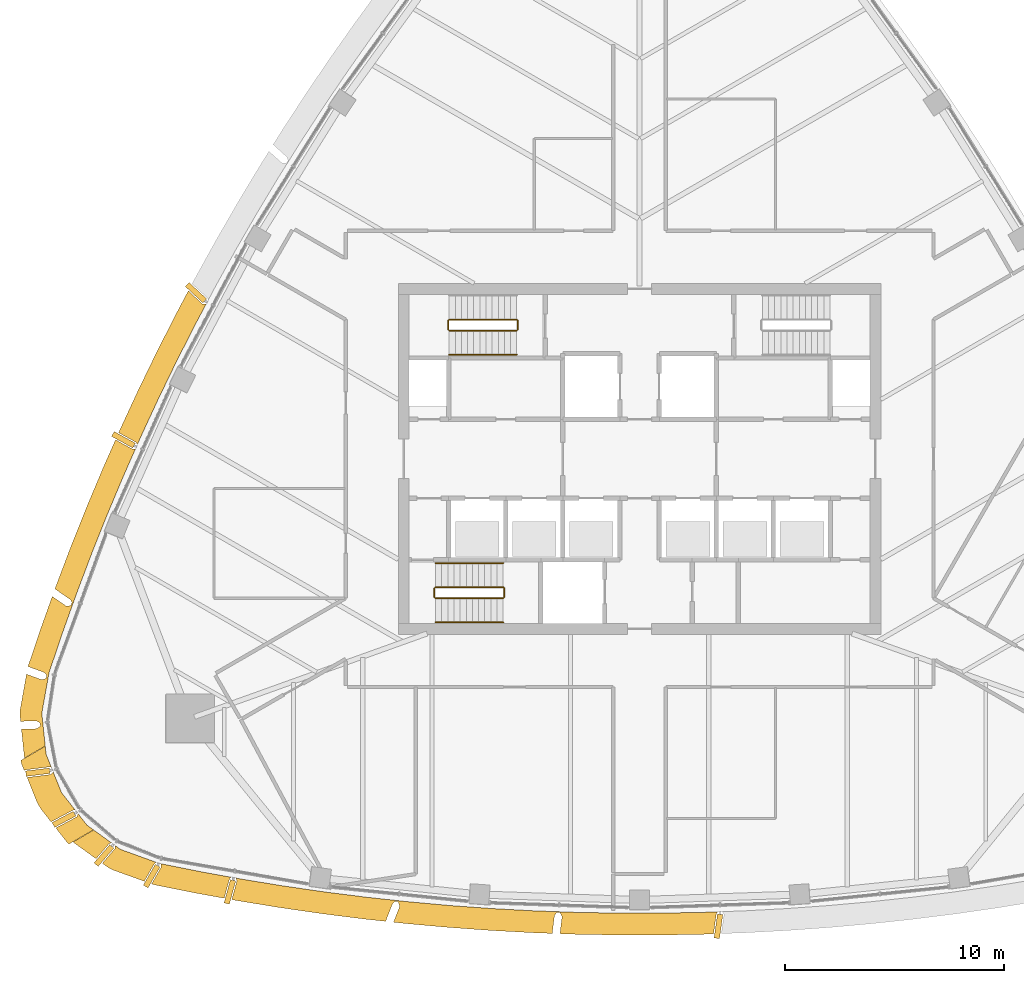
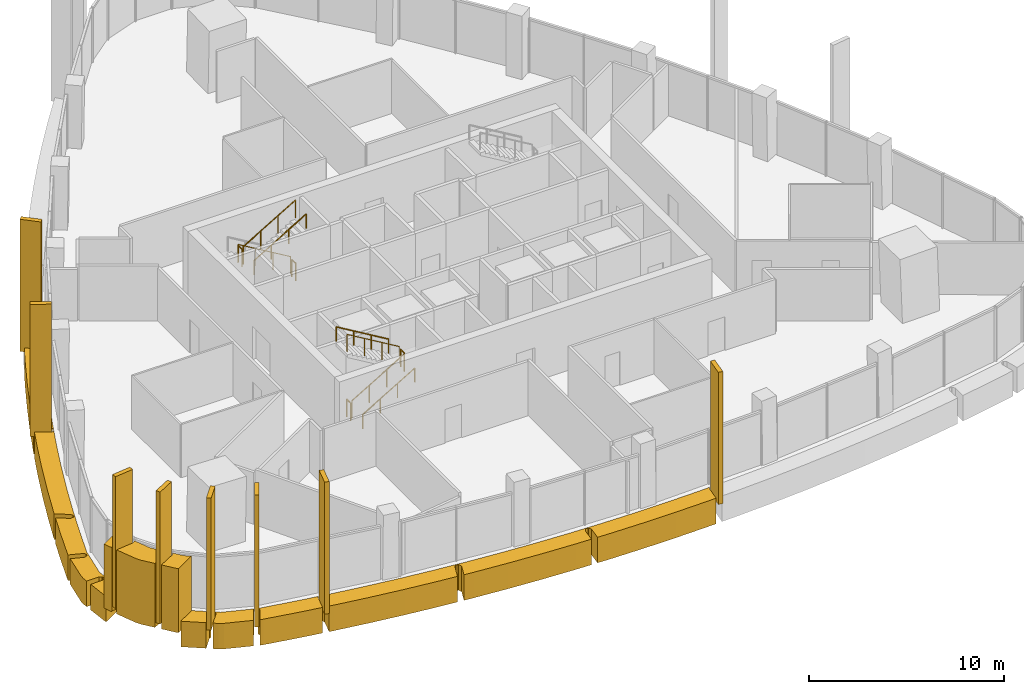
# One storey, part 16 of 19: 17 coverings, 11 railings.
"""IFC4 building model written with IfcOpenShell, lengths in metres."""

from ifc_helpers import new_model, si_unit, direction, frame, origin, origin_2d, place, context, subcontext, project, spatial, polyline, rectangle, circle, outline, extrude, material, layer, layer_set, material_profile, profile_set, type_object, element, save


model = new_model("IFC4")

# Units and contexts
model_context = context("Model", 3, precision=1e-05, world=origin(), true_north=direction((0.0, 1.0)))
body_context = subcontext(model_context, "Body", "Model", "MODEL_VIEW")
ifc_project = project(units=[si_unit("LENGTHUNIT", "METRE"), si_unit("AREAUNIT", "SQUARE_METRE"), si_unit("VOLUMEUNIT", "CUBIC_METRE"), si_unit("PLANEANGLEUNIT", "RADIAN"), si_unit("MASSUNIT", "GRAM", prefix="KILO")], contexts=[model_context])

# Site, building, storey
site_placement = place(None, origin())
site = spatial("IfcSite", under=ifc_project, at=site_placement, CompositionType="ELEMENT")
building_placement = place(site_placement, origin())
building = spatial("IfcBuilding", under=site, at=building_placement, Name="Sierra Prisma Convention Tower", CompositionType="ELEMENT")
storey_placement = place(building_placement, frame((0.0, 0.0, 295.0)))
storey = spatial("IfcBuildingStorey", under=building, at=storey_placement, Name="L67", CompositionType="ELEMENT", Elevation=295.0)

# Coverings
ifc_material_1 = material(Name="Aluminium composite bronze anodised", Category="aluminium")
ifc_layer_1 = layer(ifc_material_1, 1.199951171875)
ifc_layer_set_1 = layer_set([ifc_layer_1], Name="Bronze corner pier")
covering_type_1 = type_object("IfcCoveringType", Name="Bronze corner pier", PredefinedType="CLADDING", material=ifc_layer_set_1)
covering_1_placement = place(storey_placement, frame((0.0, 0.0, -0.60009765625)))
element("IfcCovering", 1, at=covering_1_placement, inside=storey, type_object=covering_type_1, Name="Corner pier SW L67.1", PredefinedType="CLADDING", context=body_context, shape_type="SweptSolid", body=[
    extrude(outline(polyline([(-26.861083984375, -14.390380859375), (-26.856201171875, -14.389404296875), (-26.851318359375, -14.38818359375), (-26.8466796875, -14.38623046875), (-26.84228515625, -14.384033203125), (-26.838134765625, -14.38134765625), (-26.834228515625, -14.37841796875), (-26.83056640625, -14.374755859375), (-26.731689453125, -14.26904296875), (-26.3505859375, -15.21337890625), (-25.727783203125, -16.010009765625), (-25.81298828125, -16.01220703125), (-25.817626953125, -16.012451171875), (-25.822265625, -16.01318359375), (-25.82666015625, -16.014404296875), (-25.8310546875, -16.01611328125), (-25.835205078125, -16.01806640625), (-26.806396484375, -16.534912109375), (-26.810546875, -16.537353515625), (-26.814453125, -16.540283203125), (-26.818115234375, -16.543701171875), (-26.8212890625, -16.547119140625), (-26.82421875, -16.551025390625), (-26.825927734375, -16.5537109375), (-27.2958984375, -15.952880859375), (-27.46337890625, -15.66259765625), (-27.92431640625, -14.520263671875), (-26.861083984375, -14.390380859375)])), origin(), (0.0, 0.0, 1.0), 4.0),
])
covering_2_placement = place(storey_placement, frame((0.0, 0.0, -0.60009765625)))
element("IfcCovering", 2, at=covering_2_placement, inside=storey, type_object=covering_type_1, Name="Corner pier SW L67.2", PredefinedType="CLADDING", context=body_context, shape_type="SweptSolid", body=[
    extrude(outline(polyline([(-24.89306640625, -16.912353515625), (-26.010009765625, -17.557373046875), (-26.1357421875, -17.436279296875), (-26.611572265625, -16.82763671875), (-25.6708984375, -16.326904296875), (-25.666748046875, -16.324462890625), (-25.6630859375, -16.32177734375), (-25.65966796875, -16.318603515625), (-25.656494140625, -16.3154296875), (-25.653564453125, -16.311767578125), (-25.65087890625, -16.307861328125), (-25.64892578125, -16.3037109375), (-25.593017578125, -16.18212890625), (-25.1904296875, -16.697021484375), (-24.89306640625, -16.912353515625)])), origin(), (0.0, 0.0, 1.0), 4.0),
])
covering_3_placement = place(storey_placement, frame((0.0, 0.0, -0.60009765625)))
element("IfcCovering", 3, at=covering_3_placement, inside=storey, type_object=covering_type_1, Name="Corner pier SW L67.3", PredefinedType="CLADDING", context=body_context, shape_type="SweptSolid", body=[
    extrude(outline(polyline([(-27.093017578125, -13.101806640625), (-27.05517578125, -13.46728515625), (-26.813720703125, -14.065673828125), (-26.8828125, -14.044677734375), (-26.887939453125, -14.04345703125), (-26.89306640625, -14.042724609375), (-26.898193359375, -14.04248046875), (-26.903564453125, -14.04296875), (-27.995361328125, -14.176513671875), (-28.000244140625, -14.17724609375), (-28.0048828125, -14.178466796875), (-28.009521484375, -14.180419921875), (-28.013916015625, -14.1826171875), (-28.01806640625, -14.18505859375), (-28.02197265625, -14.18798828125), (-28.025390625, -14.19140625), (-28.02880859375, -14.1953125), (-28.031494140625, -14.19921875), (-28.033935546875, -14.20361328125), (-28.035888671875, -14.2080078125), (-28.03759765625, -14.212646484375), (-28.03857421875, -14.21728515625), (-28.0390625, -14.222412109375), (-28.039306640625, -14.227294921875), (-28.038818359375, -14.232177734375), (-28.0380859375, -14.238037109375), (-28.16796875, -13.916259765625), (-28.210205078125, -13.746826171875), (-27.093017578125, -13.101806640625)])), origin(), (0.0, 0.0, 1.0), 4.0),
])
ifc_material_2 = material(Name="Aluminium 6063-T6 bronze anodised", Category="aluminium")
ifc_material_profile = material_profile(ifc_material_2, rectangle(XDim=1.10009765625, YDim=0.25, at=origin_2d()), Name="ALU FIN 1100x250")
ifc_profile_set = profile_set([ifc_material_profile], Name="Aluminium 6063-T6 bronze anodised")
covering_type_2 = type_object("IfcCoveringType", Name="Bronze facade fin", PredefinedType="CLADDING", material=ifc_profile_set)
for number, where, z_axis, x_axis, name in (
    (4, (-22.241943359375, -19.01953125, -0.300048828125), (0.0, 0.0, 1.0), (-0.497957010664, -0.867201715595, 0.0), "Fin L67.1"),
    (5, (-18.675048828125, -19.739990234375, -0.300048828125), (0.0, 0.0, 1.0), (-0.263769323978, -0.964585788683, 0.0), "Fin L67.2"),
    (6, (3.59716796875, -21.308837890625, -0.300048828125), (0.0, 0.0, 1.0), (-0.138157319496, -0.990410296327, 0.0), "Fin L67.11"),
    (7, (-20.221435546875, 7.57568359375, -0.300048828125), (0.0, 0.0, 1.0), (-0.732052835948, 0.681247858991, 0.0), "Fin L67.55"),
    (8, (-23.527099609375, 0.870849609375, -0.300048828125), (0.0, 0.0, 1.0), (-0.876107357881, 0.482116062237, 0.0), "Fin L67.58"),
    (9, (-27.42822265625, -14.283447265625, -0.300048828125), (0.0, 0.0, 1.0), (-0.99260350122, -0.121401356528, 0.0), "Fin L67.64"),
    (10, (-26.238525390625, -16.430908203125, -0.300048828125), (0.0, 0.0, 1.0), (-0.882726144638, -0.46988780956, 0.0), "Fin L67.65"),
    (11, (-24.417236328125, -18.081787109375, -0.300048828125), (0.0, 0.0, 1.0), (-0.654990864084, -0.755636796329, 0.0), "Fin L67.66"),
):
    element("IfcCovering", number, at=place(storey_placement, frame(where, z_axis=z_axis, x_axis=x_axis)), inside=storey, type_object=covering_type_2, Name=name, ObjectType="FIN", PredefinedType="CLADDING", context=body_context, shape_type="SweptSolid", body=[
        extrude(rectangle(XDim=1.10009765625, YDim=0.25, at=origin_2d()), origin(), (0.0, 0.0, 1.0), 8.25),
    ])
ifc_material_3 = material(Name="Aluminium composite bronze anodised", Category="aluminium")
ifc_layer_2 = layer(ifc_material_3, 1.0)
ifc_layer_set_2 = layer_set([ifc_layer_2], Name="Bronze spandrel band")
covering_type_3 = type_object("IfcCoveringType", Name="Bronze spandrel band", PredefinedType="CLADDING", material=ifc_layer_set_2)
covering_4_placement = place(storey_placement, frame((0.0, 0.0, -1.60009765625)))
element("IfcCovering", 12, at=covering_4_placement, inside=storey, type_object=covering_type_3, Name="Spandrel band L67.1", PredefinedType="CLADDING", context=body_context, shape_type="SweptSolid", body=[
    extrude(outline(polyline([(-27.051025390625, -9.97705078125), (-27.033447265625, -9.878662109375), (-27.03271484375, -9.87353515625), (-27.03271484375, -9.868408203125), (-27.033203125, -9.86328125), (-27.033935546875, -9.858154296875), (-27.035400390625, -9.853271484375), (-27.03759765625, -9.848388671875), (-27.039794921875, -9.843994140625), (-27.04296875, -9.839599609375), (-27.046142578125, -9.835693359375), (-27.130126953125, -9.746337890625), (-27.13330078125, -9.7431640625), (-27.136962890625, -9.740234375), (-27.140869140625, -9.73779296875), (-27.14501953125, -9.735595703125), (-27.1494140625, -9.733642578125), (-27.877197265625, -9.466552734375), (-27.865478515625, -9.420166015625), (-27.251220703125, -7.603515625), (-27.245361328125, -7.586669921875), (-26.773681640625, -6.269775390625), (-26.155517578125, -6.697998046875), (-26.1513671875, -6.70068359375), (-26.14697265625, -6.702880859375), (-26.142333984375, -6.70458984375), (-26.137451171875, -6.7060546875), (-26.132568359375, -6.706787109375), (-26.127685546875, -6.70703125), (-26.12255859375, -6.706787109375), (-25.955322265625, -6.691650390625), (-25.95068359375, -6.69091796875), (-25.946044921875, -6.68994140625), (-25.941650390625, -6.6884765625), (-25.937255859375, -6.6865234375), (-25.93310546875, -6.68408203125), (-25.92919921875, -6.681396484375), (-25.92578125, -6.67822265625), (-25.92236328125, -6.6748046875), (-25.91943359375, -6.671142578125), (-25.916748046875, -6.667236328125), (-25.91455078125, -6.6630859375), (-25.912841796875, -6.65869140625), (-25.879150390625, -6.564697265625), (-25.877685546875, -6.559814453125), (-25.876708984375, -6.554931640625), (-25.876220703125, -6.550048828125), (-25.876220703125, -6.545166015625), (-25.876708984375, -6.540283203125), (-25.877685546875, -6.535400390625), (-25.879150390625, -6.530517578125), (-25.881103515625, -6.52587890625), (-25.88330078125, -6.521728515625), (-25.942138671875, -6.425537109375), (-25.945068359375, -6.421142578125), (-25.948486328125, -6.417236328125), (-25.9521484375, -6.41357421875), (-25.956298828125, -6.410400390625), (-26.651611328125, -5.9287109375), (-26.598876953125, -5.781494140625), (-26.5927734375, -5.7646484375), (-25.913818359375, -3.971435546875), (-25.9072265625, -3.95458984375), (-25.1962890625, -2.173828125), (-25.189453125, -2.1572265625), (-24.446533203125, -0.3896484375), (-24.439453125, -0.373046875), (-23.89013671875, 0.870849609375), (-23.129638671875, 0.452392578125), (-23.125244140625, 0.4501953125), (-23.12060546875, 0.448486328125), (-23.115478515625, 0.447265625), (-23.110595703125, 0.446533203125), (-23.105712890625, 0.4462890625), (-23.1005859375, 0.446533203125), (-22.97900390625, 0.458984375), (-23.524658203125, -0.777099609375), (-24.267578125, -2.544677734375), (-24.978515625, -4.325439453125), (-25.657470703125, -6.11865234375), (-26.303955078125, -7.923828125), (-26.91796875, -9.740234375), (-27.24951171875, -11.593994140625), (-27.09423828125, -13.091064453125), (-28.0341796875, -13.633544921875), (-28.0498046875, -13.5703125), (-28.18017578125, -12.312744140625), (-27.490478515625, -12.302001953125), (-27.4853515625, -12.301513671875), (-27.48046875, -12.30078125), (-27.4755859375, -12.29931640625), (-27.470947265625, -12.297607421875), (-27.46630859375, -12.29541015625), (-27.462158203125, -12.29248046875), (-27.339599609375, -12.204833984375), (-27.3359375, -12.201904296875), (-27.33251953125, -12.19873046875), (-27.329345703125, -12.195068359375), (-27.326416015625, -12.191162109375), (-27.32421875, -12.18701171875), (-27.322265625, -12.1826171875), (-27.320556640625, -12.177978515625), (-27.319580078125, -12.17333984375), (-27.31884765625, -12.168701171875), (-27.318603515625, -12.163818359375), (-27.319091796875, -12.1591796875), (-27.329345703125, -12.0595703125), (-27.330078125, -12.0546875), (-27.331298828125, -12.050048828125), (-27.332763671875, -12.045654296875), (-27.3349609375, -12.041259765625), (-27.33740234375, -12.037109375), (-27.34033203125, -12.033203125), (-27.343505859375, -12.029541015625), (-27.34716796875, -12.026123046875), (-27.35107421875, -12.023193359375), (-27.355224609375, -12.020751953125), (-27.471435546875, -11.9580078125), (-27.47607421875, -11.955810546875), (-27.480712890625, -11.9541015625), (-27.48583984375, -11.952880859375), (-27.490966796875, -11.9521484375), (-27.49609375, -11.951904296875), (-28.216552734375, -11.96337890625), (-28.244140625, -11.697265625), (-28.23388671875, -11.418212890625), (-27.947021484375, -9.813720703125), (-27.269775390625, -10.062255859375), (-27.265380859375, -10.063720703125), (-27.260986328125, -10.064697265625), (-27.25634765625, -10.065185546875), (-27.251708984375, -10.065185546875), (-27.2470703125, -10.06494140625), (-27.242431640625, -10.064208984375), (-27.23779296875, -10.06298828125), (-27.08544921875, -10.01611328125), (-27.080810546875, -10.014404296875), (-27.076416015625, -10.01220703125), (-27.072021484375, -10.009521484375), (-27.068115234375, -10.006591796875), (-27.064453125, -10.00341796875), (-27.061279296875, -9.99951171875), (-27.058349609375, -9.99560546875), (-27.055908203125, -9.9912109375), (-27.0537109375, -9.98681640625), (-27.05224609375, -9.98193359375), (-27.051025390625, -9.97705078125)])), origin(), (0.0, 0.0, 1.0), 1.60009765625),
])
covering_5_placement = place(storey_placement, frame((0.0, 0.0, -1.60009765625)))
element("IfcCovering", 13, at=covering_5_placement, inside=storey, type_object=covering_type_3, Name="Spandrel band L67.2", PredefinedType="CLADDING", context=body_context, shape_type="SweptSolid", body=[
    extrude(outline(polyline([(-24.181640625, -17.544677734375), (-24.185546875, -17.5478515625), (-24.189208984375, -17.551513671875), (-24.77783203125, -18.230712890625), (-25.777099609375, -17.5068359375), (-25.82421875, -17.46142578125), (-24.88427734375, -16.918701171875), (-24.075927734375, -17.504150390625), (-24.168212890625, -17.537353515625), (-24.173095703125, -17.539306640625), (-24.177490234375, -17.541748046875), (-24.181640625, -17.544677734375)])), origin(), (0.0, 0.0, 1.0), 1.60009765625),
])
covering_6_placement = place(storey_placement, frame((0.0, 0.0, -1.60009765625)))
element("IfcCovering", 14, at=covering_6_placement, inside=storey, type_object=covering_type_3, Name="Spandrel band L67.3", PredefinedType="CLADDING", context=body_context, shape_type="SweptSolid", body=[
    extrude(outline(polyline([(-22.111083984375, -18.4443359375), (-22.114501953125, -18.44775390625), (-22.1171875, -18.451416015625), (-22.11962890625, -18.455322265625), (-22.580078125, -19.257080078125), (-24.00537109375, -18.7421875), (-24.252197265625, -18.611572265625), (-24.4931640625, -18.436767578125), (-23.9248046875, -17.781005859375), (-23.921630859375, -17.77685546875), (-23.9189453125, -17.772705078125), (-23.91650390625, -17.76806640625), (-23.914794921875, -17.763427734375), (-23.91357421875, -17.758544921875), (-23.91259765625, -17.753662109375), (-23.8994140625, -17.632080078125), (-23.66552734375, -17.801513671875), (-22.03271484375, -18.3916015625), (-22.10400390625, -18.438720703125), (-22.107666015625, -18.44140625), (-22.111083984375, -18.4443359375)])), origin(), (0.0, 0.0, 1.0), 1.60009765625),
])
covering_7_placement = place(storey_placement, frame((0.0, 0.0, -1.60009765625)))
element("IfcCovering", 15, at=covering_7_placement, inside=storey, type_object=covering_type_3, Name="Spandrel band L67.4", PredefinedType="CLADDING", context=body_context, shape_type="SweptSolid", body=[
    extrude(outline(polyline([(-21.122802734375, 6.620361328125), (-20.570556640625, 7.66162109375), (-19.93798828125, 7.072998046875), (-19.93408203125, 7.06982421875), (-19.93017578125, 7.06689453125), (-19.92578125, 7.064697265625), (-19.921142578125, 7.062744140625), (-19.91650390625, 7.061279296875), (-19.91162109375, 7.060302734375), (-19.906494140625, 7.059814453125), (-19.761962890625, 7.052001953125), (-20.239501953125, 6.15185546875), (-21.107421875, 4.442138671875), (-21.9443359375, 2.716796875), (-22.750244140625, 0.97705078125), (-22.890869140625, 0.658447265625), (-22.942626953125, 0.74169921875), (-22.945556640625, 0.745849609375), (-22.948974609375, 0.749755859375), (-22.95263671875, 0.753173828125), (-22.95654296875, 0.75634765625), (-22.9609375, 0.759033203125), (-23.748291015625, 1.1923828125), (-23.6650390625, 1.381103515625), (-23.65771484375, 1.3974609375), (-22.851806640625, 3.13720703125), (-22.843994140625, 3.153564453125), (-22.007080078125, 4.878662109375), (-21.9990234375, 4.894775390625), (-21.131103515625, 6.6044921875), (-21.122802734375, 6.620361328125)])), origin(), (0.0, 0.0, 1.0), 1.60009765625),
])
covering_8_placement = place(storey_placement, frame((0.0, 0.0, -1.60009765625)))
element("IfcCovering", 16, at=covering_8_placement, inside=storey, type_object=covering_type_3, Name="Spandrel band L67.10", PredefinedType="CLADDING", context=body_context, shape_type="SweptSolid", body=[
    extrude(outline(polyline([(-3.614501953125, -20.705810546875), (-3.617919921875, -20.7021484375), (-3.621337890625, -20.69873046875), (-3.625, -20.69580078125), (-3.629150390625, -20.693359375), (-3.63330078125, -20.691162109375), (-3.6376953125, -20.689453125), (-3.642333984375, -20.68798828125), (-3.647216796875, -20.687255859375), (-3.65185546875, -20.68701171875), (-3.751708984375, -20.683349609375), (-3.756591796875, -20.683349609375), (-3.761474609375, -20.683837890625), (-3.766357421875, -20.684814453125), (-3.77099609375, -20.686279296875), (-3.775390625, -20.688232421875), (-3.779541015625, -20.6904296875), (-3.78369140625, -20.693359375), (-3.787353515625, -20.6962890625), (-3.790771484375, -20.69970703125), (-3.7939453125, -20.70361328125), (-3.872314453125, -20.809814453125), (-3.875, -20.814208984375), (-3.87744140625, -20.81884765625), (-3.87939453125, -20.823486328125), (-3.880859375, -20.828369140625), (-3.881591796875, -20.83349609375), (-3.980712890625, -21.633544921875), (-4.827880859375, -21.60302734375), (-4.845947265625, -21.602294921875), (-6.760498046875, -21.4990234375), (-6.778564453125, -21.497802734375), (-8.69091796875, -21.360107421875), (-8.708984375, -21.35888671875), (-10.61865234375, -21.186767578125), (-10.636474609375, -21.18505859375), (-11.215087890625, -21.122314453125), (-10.939697265625, -20.41064453125), (-10.93798828125, -20.406005859375), (-10.93701171875, -20.401123046875), (-10.936279296875, -20.39599609375), (-10.936279296875, -20.39111328125), (-10.936767578125, -20.38623046875), (-10.9375, -20.38134765625), (-10.93896484375, -20.37646484375), (-10.992919921875, -20.21728515625), (-10.99462890625, -20.212890625), (-10.99658203125, -20.208740234375), (-10.999267578125, -20.204833984375), (-11.002197265625, -20.201171875), (-11.00537109375, -20.197509765625), (-11.0087890625, -20.194580078125), (-11.0126953125, -20.191650390625), (-11.016845703125, -20.189208984375), (-11.02099609375, -20.187255859375), (-11.025634765625, -20.185791015625), (-11.0302734375, -20.1845703125), (-11.034912109375, -20.183837890625), (-11.13427734375, -20.173095703125), (-11.13916015625, -20.1728515625), (-11.14404296875, -20.173095703125), (-11.14892578125, -20.173583984375), (-11.15380859375, -20.1748046875), (-11.158447265625, -20.176513671875), (-11.1630859375, -20.1787109375), (-11.167236328125, -20.18115234375), (-11.17138671875, -20.18408203125), (-11.1748046875, -20.1875), (-11.254638671875, -20.266845703125), (-11.25830078125, -20.270751953125), (-11.26123046875, -20.27490234375), (-11.263916015625, -20.279541015625), (-11.26611328125, -20.2841796875), (-11.575439453125, -21.08349609375), (-12.542724609375, -20.978759765625), (-12.560791015625, -20.9765625), (-14.462890625, -20.736083984375), (-14.480712890625, -20.733642578125), (-16.37841796875, -20.458984375), (-16.396240234375, -20.456298828125), (-18.288818359375, -20.147705078125), (-18.306396484375, -20.14453125), (-18.590087890625, -20.093017578125), (-18.361083984375, -19.255615234375), (-18.360107421875, -19.250732421875), (-18.359619140625, -19.245849609375), (-18.359619140625, -19.24072265625), (-18.35986328125, -19.235595703125), (-18.36083984375, -19.230712890625), (-18.3623046875, -19.225830078125), (-18.402587890625, -19.110595703125), (-18.127685546875, -19.16064453125), (-16.235107421875, -19.469482421875), (-14.337646484375, -19.743896484375), (-12.435302734375, -19.984619140625), (-10.52880859375, -20.19091796875), (-8.619140625, -20.36279296875), (-6.706787109375, -20.50048828125), (-4.7919921875, -20.603759765625), (-2.8759765625, -20.672607421875), (-0.958740234375, -20.70703125), (0.958740234375, -20.70703125), (2.8759765625, -20.672607421875), (3.556396484375, -20.648193359375), (3.508056640625, -20.718505859375), (3.505615234375, -20.722412109375), (3.50341796875, -20.7265625), (3.501953125, -20.73095703125), (3.50048828125, -20.7353515625), (3.499755859375, -20.739990234375), (3.3720703125, -21.655517578125), (2.911865234375, -21.672119140625), (2.893798828125, -21.672607421875), (0.976806640625, -21.70703125), (0.958740234375, -21.70703125), (-0.958740234375, -21.70703125), (-0.976806640625, -21.70703125), (-2.893798828125, -21.672607421875), (-2.911865234375, -21.672119140625), (-3.629638671875, -21.646240234375), (-3.5341796875, -20.87646484375), (-3.533935546875, -20.871337890625), (-3.5341796875, -20.866455078125), (-3.53466796875, -20.861328125), (-3.535888671875, -20.8564453125), (-3.53759765625, -20.851806640625), (-3.53955078125, -20.84716796875), (-3.609375, -20.713623046875), (-3.61181640625, -20.70947265625), (-3.614501953125, -20.705810546875)])), origin(), (0.0, 0.0, 1.0), 1.60009765625),
])
covering_9_placement = place(storey_placement, frame((0.0, 0.0, -1.60009765625)))
element("IfcCovering", 17, at=covering_9_placement, inside=storey, type_object=covering_type_3, Name="Spandrel band L67.11", PredefinedType="CLADDING", context=body_context, shape_type="SweptSolid", body=[
    extrude(outline(polyline([(-18.695068359375, -19.15380859375), (-18.697265625, -19.158447265625), (-18.69873046875, -19.163330078125), (-18.935791015625, -20.0302734375), (-20.19287109375, -19.802001953125), (-20.210693359375, -19.798583984375), (-22.0908203125, -19.422119140625), (-22.234130859375, -19.382080078125), (-22.245849609375, -19.377685546875), (-21.816162109375, -18.629638671875), (-21.814208984375, -18.62548828125), (-21.8125, -18.62109375), (-21.81103515625, -18.61669921875), (-21.81005859375, -18.6123046875), (-21.809814453125, -18.607666015625), (-21.8095703125, -18.60302734375), (-21.81005859375, -18.598388671875), (-21.82861328125, -18.45458984375), (-20.01416015625, -18.818115234375), (-18.6171875, -19.07177734375), (-18.686279296875, -19.1416015625), (-18.689697265625, -19.145263671875), (-18.692626953125, -19.1494140625), (-18.695068359375, -19.15380859375)])), origin(), (0.0, 0.0, 1.0), 1.60009765625),
])

# Railings
ifc_material_4 = material(Name="Stainless steel", Category="steel")
railing_type_1 = type_object("IfcRailingType", Name="Exit stair handrail", PredefinedType="HANDRAIL", material=ifc_material_4)
railing_1_placement = place(storey_placement, frame((-9.300048828125, -7.449951171875, 0.166748046875)))
element("IfcRailing", 18, at=railing_1_placement, inside=storey, type_object=railing_type_1, Name="L67 S1 stair handrail 1", PredefinedType="HANDRAIL", context=body_context, shape_type="SweptSolid", body=[
    extrude(circle(Radius=0.02392578125, at=origin_2d()), frame((0.0, 0.0, 0.8759765625), z_axis=(0.859308565015, 0.0, 0.511457515432), x_axis=(0.0, 1.0, 0.0)), (0.0, 0.0, 1.0), 3.58447265625),
    extrude(circle(Radius=0.02099609375, at=origin_2d()), origin(), (0.0, 0.0, 1.0), 0.851806640625),
    extrude(circle(Radius=0.02099609375, at=origin_2d()), frame((1.026611328125, 0.0, 0.611083984375)), (0.0, 0.0, 1.0), 0.851806640625),
    extrude(circle(Radius=0.02099609375, at=origin_2d()), frame((2.053466796875, 0.0, 1.22216796875)), (0.0, 0.0, 1.0), 0.851806640625),
    extrude(circle(Radius=0.02099609375, at=origin_2d()), frame((3.080078125, 0.0, 1.833251953125)), (0.0, 0.0, 1.0), 0.851806640625),
])
railing_2_placement = place(storey_placement, frame((-6.219970703125, -4.75, 2.166748046875)))
element("IfcRailing", 19, at=railing_2_placement, inside=storey, type_object=railing_type_1, Name="L67 S1 stair handrail 2", PredefinedType="HANDRAIL", context=body_context, shape_type="SweptSolid", body=[
    extrude(circle(Radius=0.02392578125, at=origin_2d()), frame((0.0, 0.0, 0.8759765625), z_axis=(-0.859308565015, 0.0, 0.511457515432), x_axis=(0.0, -1.0, 0.0)), (0.0, 0.0, 1.0), 3.58447265625),
    extrude(circle(Radius=0.02099609375, at=origin_2d()), origin(), (0.0, 0.0, 1.0), 0.851806640625),
    extrude(circle(Radius=0.02099609375, at=origin_2d()), frame((-1.026611328125, 0.0, 0.611083984375)), (0.0, 0.0, 1.0), 0.851806640625),
    extrude(circle(Radius=0.02099609375, at=origin_2d()), frame((-2.053466796875, 0.0, 1.22216796875)), (0.0, 0.0, 1.0), 0.851806640625),
    extrude(circle(Radius=0.02099609375, at=origin_2d()), frame((-3.080078125, 0.0, 1.833251953125)), (0.0, 0.0, 1.0), 0.851806640625),
])
railing_3_placement = place(storey_placement, frame((-8.679931640625, 4.75, 2.166748046875)))
element("IfcRailing", 20, at=railing_3_placement, inside=storey, type_object=railing_type_1, Name="L67 S3 stair handrail 2", PredefinedType="HANDRAIL", context=body_context, shape_type="SweptSolid", body=[
    extrude(circle(Radius=0.02392578125, at=origin_2d()), frame((0.0, 0.0, 0.8759765625), z_axis=(0.859290745958, 0.0, 0.51148745235), x_axis=(0.0, 1.0, 0.0)), (0.0, 0.0, 1.0), 3.584228515625),
    extrude(circle(Radius=0.02099609375, at=origin_2d()), origin(), (0.0, 0.0, 1.0), 0.851806640625),
    extrude(circle(Radius=0.02099609375, at=origin_2d()), frame((1.026611328125, 0.0, 0.611083984375)), (0.0, 0.0, 1.0), 0.851806640625),
    extrude(circle(Radius=0.02099609375, at=origin_2d()), frame((2.05322265625, 0.0, 1.22216796875)), (0.0, 0.0, 1.0), 0.851806640625),
    extrude(circle(Radius=0.02099609375, at=origin_2d()), frame((3.079833984375, 0.0, 1.833251953125)), (0.0, 0.0, 1.0), 0.851806640625),
])
ifc_material_5 = material(Name="Stainless steel", Category="steel")
railing_type_2 = type_object("IfcRailingType", Name="Stair guard 1100", PredefinedType="GUARDRAIL", material=ifc_material_5)
railing_4_placement = place(storey_placement, frame((-9.300048828125, -6.35009765625, 0.166748046875)))
element("IfcRailing", 21, at=railing_4_placement, inside=storey, type_object=railing_type_2, Name="L67 S1 stair guard 1", PredefinedType="GUARDRAIL", context=body_context, shape_type="SweptSolid", body=[
    extrude(circle(Radius=0.02392578125, at=origin_2d()), frame((0.0, 0.0, 1.076171875), z_axis=(0.859308565015, 0.0, 0.511457515432), x_axis=(0.0, 1.0, 0.0)), (0.0, 0.0, 1.0), 3.58447265625),
    extrude(circle(Radius=0.02099609375, at=origin_2d()), origin(), (0.0, 0.0, 1.0), 1.052001953125),
    extrude(circle(Radius=0.02099609375, at=origin_2d()), frame((1.026611328125, 0.0, 0.611083984375)), (0.0, 0.0, 1.0), 1.052001953125),
    extrude(circle(Radius=0.02099609375, at=origin_2d()), frame((2.053466796875, 0.0, 1.22216796875)), (0.0, 0.0, 1.0), 1.052001953125),
    extrude(circle(Radius=0.02099609375, at=origin_2d()), frame((3.080078125, 0.0, 1.833251953125)), (0.0, 0.0, 1.0), 1.052001953125),
])
railing_5_placement = place(storey_placement, frame((-6.169921875, -6.300048828125, 2.0)))
element("IfcRailing", 22, at=railing_5_placement, inside=storey, type_object=railing_type_2, Name="L67 S1 stair guard 2", PredefinedType="GUARDRAIL", context=body_context, shape_type="SweptSolid", body=[
    extrude(circle(Radius=0.02392578125, at=origin_2d()), frame((0.0, 0.0, 1.076171875), z_axis=(0.0, 1.0, 0.0), x_axis=(-1.0, 0.0, 0.0)), (0.0, 0.0, 1.0), 0.400146484375),
    extrude(circle(Radius=0.02099609375, at=origin_2d()), origin(), (0.0, 0.0, 1.0), 1.052001953125),
    extrude(circle(Radius=0.02099609375, at=origin_2d()), frame((0.0, 0.400146484375, 0.0)), (0.0, 0.0, 1.0), 1.052001953125),
])
railing_6_placement = place(storey_placement, frame((-6.219970703125, -5.85009765625, 2.166748046875)))
element("IfcRailing", 23, at=railing_6_placement, inside=storey, type_object=railing_type_2, Name="L67 S1 stair guard 3", PredefinedType="GUARDRAIL", context=body_context, shape_type="SweptSolid", body=[
    extrude(circle(Radius=0.02392578125, at=origin_2d()), frame((0.0, 0.0, 1.076171875), z_axis=(-0.859308565015, 0.0, 0.511457515432), x_axis=(0.0, -1.0, 0.0)), (0.0, 0.0, 1.0), 3.58447265625),
    extrude(circle(Radius=0.02099609375, at=origin_2d()), origin(), (0.0, 0.0, 1.0), 1.052001953125),
    extrude(circle(Radius=0.02099609375, at=origin_2d()), frame((-1.026611328125, 0.0, 0.611083984375)), (0.0, 0.0, 1.0), 1.052001953125),
    extrude(circle(Radius=0.02099609375, at=origin_2d()), frame((-2.053466796875, 0.0, 1.22216796875)), (0.0, 0.0, 1.0), 1.052001953125),
    extrude(circle(Radius=0.02099609375, at=origin_2d()), frame((-3.080078125, 0.0, 1.833251953125)), (0.0, 0.0, 1.0), 1.052001953125),
])
railing_7_placement = place(storey_placement, frame((-9.35009765625, -6.300048828125, 0.0)))
element("IfcRailing", 24, at=railing_7_placement, inside=storey, type_object=railing_type_2, Name="L67 S1 stair guard 4", PredefinedType="GUARDRAIL", context=body_context, shape_type="SweptSolid", body=[
    extrude(circle(Radius=0.02392578125, at=origin_2d()), frame((0.0, 0.0, 1.076171875), z_axis=(0.0, 1.0, 0.0), x_axis=(-1.0, 0.0, 0.0)), (0.0, 0.0, 1.0), 0.400146484375),
    extrude(circle(Radius=0.02099609375, at=origin_2d()), origin(), (0.0, 0.0, 1.0), 1.052001953125),
    extrude(circle(Radius=0.02099609375, at=origin_2d()), frame((0.0, 0.400146484375, 0.0)), (0.0, 0.0, 1.0), 1.052001953125),
])
railing_8_placement = place(storey_placement, frame((-5.60009765625, 6.35009765625, 0.166748046875)))
element("IfcRailing", 25, at=railing_8_placement, inside=storey, type_object=railing_type_2, Name="L67 S3 stair guard 1", PredefinedType="GUARDRAIL", context=body_context, shape_type="SweptSolid", body=[
    extrude(circle(Radius=0.02392578125, at=origin_2d()), frame((0.0, 0.0, 1.076171875), z_axis=(-0.859290745958, 0.0, 0.51148745235), x_axis=(0.0, -1.0, 0.0)), (0.0, 0.0, 1.0), 3.584228515625),
    extrude(circle(Radius=0.02099609375, at=origin_2d()), origin(), (0.0, 0.0, 1.0), 1.052001953125),
    extrude(circle(Radius=0.02099609375, at=origin_2d()), frame((-1.026611328125, 0.0, 0.611083984375)), (0.0, 0.0, 1.0), 1.052001953125),
    extrude(circle(Radius=0.02099609375, at=origin_2d()), frame((-2.05322265625, 0.0, 1.22216796875)), (0.0, 0.0, 1.0), 1.052001953125),
    extrude(circle(Radius=0.02099609375, at=origin_2d()), frame((-3.079833984375, 0.0, 1.833251953125)), (0.0, 0.0, 1.0), 1.052001953125),
])
railing_9_placement = place(storey_placement, frame((-8.72998046875, 6.300048828125, 2.0)))
element("IfcRailing", 26, at=railing_9_placement, inside=storey, type_object=railing_type_2, Name="L67 S3 stair guard 2", PredefinedType="GUARDRAIL", context=body_context, shape_type="SweptSolid", body=[
    extrude(circle(Radius=0.02392578125, at=origin_2d()), frame((0.0, 0.0, 1.076171875), z_axis=(0.0, -1.0, 0.0), x_axis=(1.0, 0.0, 0.0)), (0.0, 0.0, 1.0), 0.400146484375),
    extrude(circle(Radius=0.02099609375, at=origin_2d()), origin(), (0.0, 0.0, 1.0), 1.052001953125),
    extrude(circle(Radius=0.02099609375, at=origin_2d()), frame((0.0, -0.400146484375, 0.0)), (0.0, 0.0, 1.0), 1.052001953125),
])
railing_10_placement = place(storey_placement, frame((-8.679931640625, 5.85009765625, 2.166748046875)))
element("IfcRailing", 27, at=railing_10_placement, inside=storey, type_object=railing_type_2, Name="L67 S3 stair guard 3", PredefinedType="GUARDRAIL", context=body_context, shape_type="SweptSolid", body=[
    extrude(circle(Radius=0.02392578125, at=origin_2d()), frame((0.0, 0.0, 1.076171875), z_axis=(0.859290745958, 0.0, 0.51148745235), x_axis=(0.0, 1.0, 0.0)), (0.0, 0.0, 1.0), 3.584228515625),
    extrude(circle(Radius=0.02099609375, at=origin_2d()), origin(), (0.0, 0.0, 1.0), 1.052001953125),
    extrude(circle(Radius=0.02099609375, at=origin_2d()), frame((1.026611328125, 0.0, 0.611083984375)), (0.0, 0.0, 1.0), 1.052001953125),
    extrude(circle(Radius=0.02099609375, at=origin_2d()), frame((2.05322265625, 0.0, 1.22216796875)), (0.0, 0.0, 1.0), 1.052001953125),
    extrude(circle(Radius=0.02099609375, at=origin_2d()), frame((3.079833984375, 0.0, 1.833251953125)), (0.0, 0.0, 1.0), 1.052001953125),
])
railing_11_placement = place(storey_placement, frame((-5.550048828125, 6.300048828125, 0.0)))
element("IfcRailing", 28, at=railing_11_placement, inside=storey, type_object=railing_type_2, Name="L67 S3 stair guard 4", PredefinedType="GUARDRAIL", context=body_context, shape_type="SweptSolid", body=[
    extrude(circle(Radius=0.02392578125, at=origin_2d()), frame((0.0, 0.0, 1.076171875), z_axis=(0.0, -1.0, 0.0), x_axis=(1.0, 0.0, 0.0)), (0.0, 0.0, 1.0), 0.400146484375),
    extrude(circle(Radius=0.02099609375, at=origin_2d()), origin(), (0.0, 0.0, 1.0), 1.052001953125),
    extrude(circle(Radius=0.02099609375, at=origin_2d()), frame((0.0, -0.400146484375, 0.0)), (0.0, 0.0, 1.0), 1.052001953125),
])

save(model, "model.ifc")
